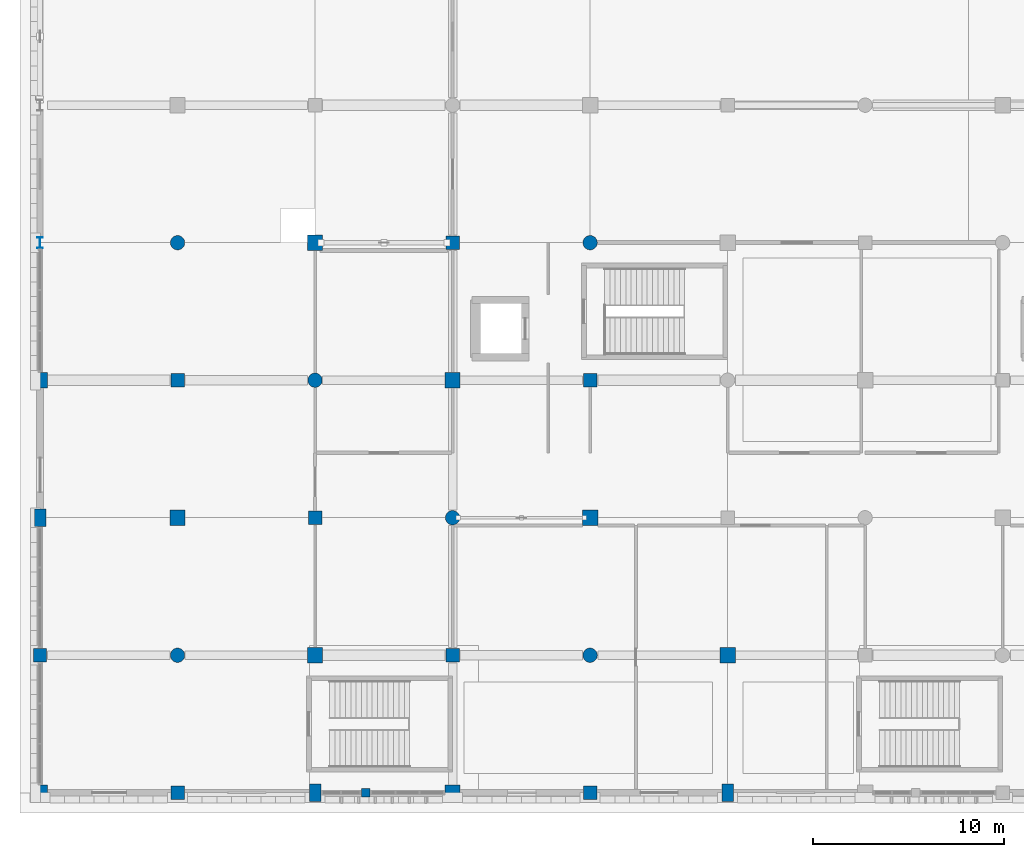
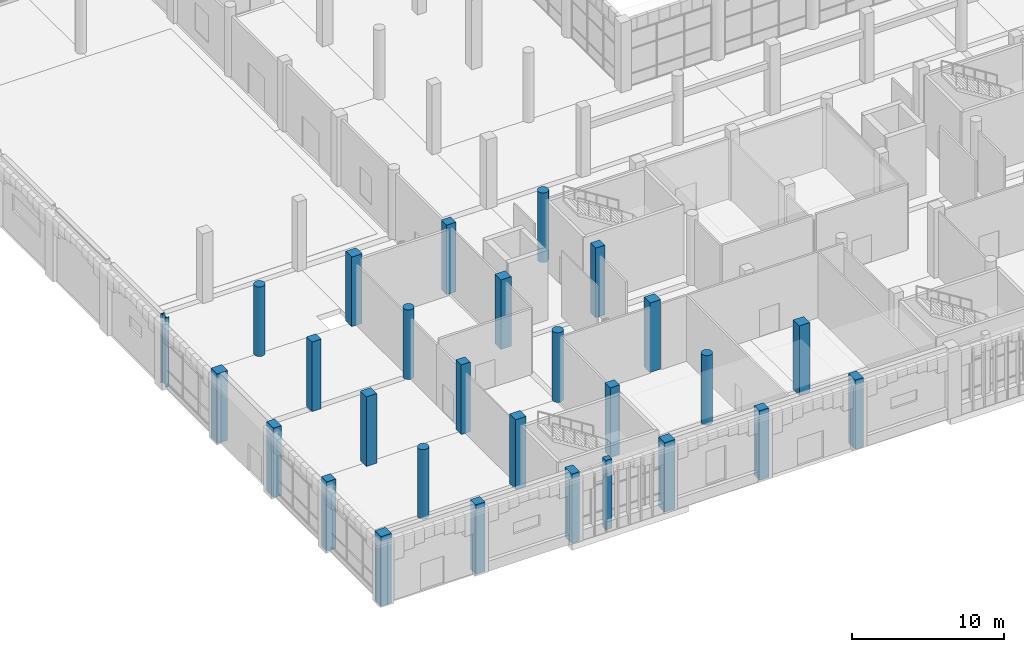
# One storey, part 1 of 85: 28 columns.
"""IFC4 building model written with IfcOpenShell, lengths in metres."""

from ifc_helpers import new_model, si_unit, direction, frame, origin, origin_2d, place, context, subcontext, project, spatial, rectangle, circle, i_section, extrude, material, material_profile, profile_set, type_object, element, save


model = new_model("IFC4")

# Units and contexts
model_context = context("Model", 3, precision=1e-05, world=origin(), true_north=direction((0.0, 1.0)))
body_context = subcontext(model_context, "Body", "Model", "MODEL_VIEW")
ifc_project = project(units=[si_unit("LENGTHUNIT", "METRE"), si_unit("AREAUNIT", "SQUARE_METRE"), si_unit("VOLUMEUNIT", "CUBIC_METRE"), si_unit("PLANEANGLEUNIT", "RADIAN"), si_unit("MASSUNIT", "GRAM", prefix="KILO")], contexts=[model_context])

# Site, building, storey
site_placement = place(None, origin())
site = spatial("IfcSite", under=ifc_project, at=site_placement, CompositionType="ELEMENT")
building_placement = place(site_placement, origin())
building = spatial("IfcBuilding", under=site, at=building_placement, Name="Sardonyx Promenade Sports Hall", CompositionType="ELEMENT")
storey_placement = place(building_placement, origin())
storey = spatial("IfcBuildingStorey", under=building, at=storey_placement, Name="L00", CompositionType="ELEMENT", Elevation=0.0)

# Columns
ifc_material_1 = material(Name="Steel S355JR", Category="steel")
ifc_material_profile_1 = material_profile(ifc_material_1, i_section(OverallWidth=0.300048828125, OverallDepth=0.590087890625, WebThickness=0.012939453125, FlangeThickness=0.02490234375, at=origin_2d()))
ifc_profile_set_1 = profile_set([ifc_material_profile_1], Name="Steel S355JR")
column_type_1 = type_object("IfcColumnType", Name="Col_Ext_HEA600", PredefinedType="COLUMN", material=ifc_profile_set_1)
column_1_placement = place(storey_placement, frame((0.0, 28.800048828125, 0.0), z_axis=(0.0, 0.0, 1.0), x_axis=(1.0, 0.0, 0.0)))
element("IfcColumn", 1, at=column_1_placement, inside=storey, type_object=column_type_1, Name="Column CE01 L00 (0.0,28.8)", PredefinedType="COLUMN", context=body_context, shape_type="SweptSolid", body=[
    extrude(i_section(OverallWidth=0.300048828125, OverallDepth=0.590087890625, WebThickness=0.012939453125, FlangeThickness=0.02490234375, at=origin_2d()), origin(), (0.0, 0.0, 1.0), 5.60009765625),
])
ifc_material_2 = material(Name="Concrete C40/50", Category="concrete")
ifc_material_profile_2 = material_profile(ifc_material_2, rectangle(XDim=0.449951171875, YDim=0.449951171875, at=origin_2d()))
ifc_profile_set_2 = profile_set([ifc_material_profile_2], Name="Concrete C40/50")
column_type_2 = type_object("IfcColumnType", Name="Col_Ext_RC450", PredefinedType="PILASTER", material=ifc_profile_set_2)
column_2_placement = place(storey_placement, frame((17.050048828125, 0.0, 0.0), z_axis=(0.0, 0.0, 1.0), x_axis=(1.0, 0.0, 0.0)))
element("IfcColumn", 2, at=column_2_placement, inside=storey, type_object=column_type_2, Name="Sandstone facade pilaster #1", PredefinedType="PILASTER", context=body_context, shape_type="SweptSolid", body=[
    extrude(rectangle(XDim=0.449951171875, YDim=0.449951171875, at=origin_2d()), origin(), (0.0, 0.0, 1.0), 5.60009765625),
])
ifc_material_3 = material(Name="Concrete C40/50", Category="concrete")
ifc_material_profile_3 = material_profile(ifc_material_3, rectangle(XDim=0.60009765625, YDim=0.89990234375, at=origin_2d()))
ifc_profile_set_3 = profile_set([ifc_material_profile_3], Name="Concrete C40/50")
column_type_3 = type_object("IfcColumnType", Name="Col_Ext_RC600x900", PredefinedType="COLUMN", material=ifc_profile_set_3)
for number, where, z_axis, x_axis, name in (
    (3, (0.0, 14.39990234375, 0.0), (0.0, 0.0, 1.0), (1.0, 0.0, 0.0), "Column CE12 L00 (0.0,14.4)"),
    (4, (14.39990234375, 0.0, 0.0), (0.0, 0.0, 1.0), (1.0, 0.0, 0.0), "Column CE12 L00 (14.4,0.0)"),
    (5, (36.0, 0.0, 0.0), (0.0, 0.0, 1.0), (1.0, 0.0, 0.0), "Column CE12 L00 (36.0,0.0)"),
):
    element("IfcColumn", number, at=place(storey_placement, frame(where, z_axis=z_axis, x_axis=x_axis)), inside=storey, type_object=column_type_3, Name=name, PredefinedType="COLUMN", context=body_context, shape_type="SweptSolid", body=[
        extrude(rectangle(XDim=0.60009765625, YDim=0.89990234375, at=origin_2d()), origin(), (0.0, 0.0, 1.0), 5.60009765625),
    ])
ifc_material_4 = material(Name="Concrete C40/50", Category="concrete")
ifc_material_profile_4 = material_profile(ifc_material_4, rectangle(XDim=0.699951171875, YDim=0.699951171875, at=origin_2d()))
ifc_profile_set_4 = profile_set([ifc_material_profile_4], Name="Concrete C40/50")
column_type_4 = type_object("IfcColumnType", Name="Col_Ext_RC700", PredefinedType="COLUMN", material=ifc_profile_set_4)
for number, where, z_axis, x_axis, name in (
    (6, (0.0, 7.199951171875, 0.0), (0.0, 0.0, 1.0), (1.0, 0.0, 0.0), "Column CE05 L00 (0.0,7.2)"),
    (7, (7.199951171875, 0.0, 0.0), (0.0, 0.0, 1.0), (1.0, 0.0, 0.0), "Column CE05 L00 (7.2,0.0)"),
    (8, (28.800048828125, 0.0, 0.0), (0.0, 0.0, 1.0), (1.0, 0.0, 0.0), "Column CE05 L00 (28.8,0.0)"),
):
    element("IfcColumn", number, at=place(storey_placement, frame(where, z_axis=z_axis, x_axis=x_axis)), inside=storey, type_object=column_type_4, Name=name, PredefinedType="COLUMN", context=body_context, shape_type="SweptSolid", body=[
        extrude(rectangle(XDim=0.699951171875, YDim=0.699951171875, at=origin_2d()), origin(), (0.0, 0.0, 1.0), 5.60009765625),
    ])
ifc_material_5 = material(Name="Concrete C50/60", Category="concrete")
ifc_material_profile_5 = material_profile(ifc_material_5, rectangle(XDim=0.800048828125, YDim=0.800048828125, at=origin_2d()))
ifc_profile_set_5 = profile_set([ifc_material_profile_5], Name="Concrete C50/60")
column_type_5 = type_object("IfcColumnType", Name="Col_Ext_RC800", PredefinedType="COLUMN", material=ifc_profile_set_5)
for number, where, z_axis, x_axis, name in (
    (9, (0.0, 0.0, 0.0), (0.0, 0.0, 1.0), (1.0, 0.0, 0.0), "Column CE13 L00 (0.0,0.0)"),
    (10, (0.0, 21.60009765625, 0.0), (0.0, 0.0, 1.0), (1.0, 0.0, 0.0), "Column CE13 L00 (0.0,21.6)"),
    (11, (21.60009765625, 0.0, 0.0), (0.0, 0.0, 1.0), (1.0, 0.0, 0.0), "Column CE13 L00 (21.6,0.0)"),
):
    element("IfcColumn", number, at=place(storey_placement, frame(where, z_axis=z_axis, x_axis=x_axis)), inside=storey, type_object=column_type_5, Name=name, PredefinedType="COLUMN", context=body_context, shape_type="SweptSolid", body=[
        extrude(rectangle(XDim=0.800048828125, YDim=0.800048828125, at=origin_2d()), origin(), (0.0, 0.0, 1.0), 5.60009765625),
    ])
ifc_material_6 = material(Name="Concrete C50/60", Category="concrete")
ifc_material_profile_6 = material_profile(ifc_material_6, rectangle(XDim=0.699951171875, YDim=0.699951171875, at=origin_2d()))
ifc_profile_set_6 = profile_set([ifc_material_profile_6], Name="Concrete C50/60")
column_type_6 = type_object("IfcColumnType", Name="Col_Int_RC700", PredefinedType="COLUMN", material=ifc_profile_set_6)
for number, where, z_axis, x_axis, name in (
    (12, (7.199951171875, 21.60009765625, 0.0), (0.0, 0.0, 1.0), (1.0, 0.0, 0.0), "Column CI03 L00 (7.2,21.6)"),
    (13, (14.39990234375, 14.39990234375, 0.0), (0.0, 0.0, 1.0), (1.0, 0.0, 0.0), "Column CI03 L00 (14.4,14.4)"),
    (14, (21.60009765625, 7.199951171875, 0.0), (0.0, 0.0, 1.0), (1.0, 0.0, 0.0), "Column CI03 L00 (21.6,7.2)"),
    (15, (21.60009765625, 28.800048828125, 0.0), (0.0, 0.0, 1.0), (1.0, 0.0, 0.0), "Column CI03 L00 (21.6,28.8)"),
    (16, (28.800048828125, 21.60009765625, 0.0), (0.0, 0.0, 1.0), (1.0, 0.0, 0.0), "Column CI03 L00 (28.8,21.6)"),
):
    element("IfcColumn", number, at=place(storey_placement, frame(where, z_axis=z_axis, x_axis=x_axis)), inside=storey, type_object=column_type_6, Name=name, PredefinedType="COLUMN", context=body_context, shape_type="SweptSolid", body=[
        extrude(rectangle(XDim=0.699951171875, YDim=0.699951171875, at=origin_2d()), origin(), (0.0, 0.0, 1.0), 5.60009765625),
    ])
ifc_material_7 = material(Name="Concrete C50/60", Category="concrete")
ifc_material_profile_7 = material_profile(ifc_material_7, rectangle(XDim=0.800048828125, YDim=0.800048828125, at=origin_2d()))
ifc_profile_set_7 = profile_set([ifc_material_profile_7], Name="Concrete C50/60")
column_type_7 = type_object("IfcColumnType", Name="Col_Int_RC800", PredefinedType="COLUMN", material=ifc_profile_set_7)
for number, where, z_axis, x_axis, name in (
    (17, (7.199951171875, 14.39990234375, 0.0), (0.0, 0.0, 1.0), (1.0, 0.0, 0.0), "Column CI01 L00 (7.2,14.4)"),
    (18, (14.39990234375, 7.199951171875, 0.0), (0.0, 0.0, 1.0), (1.0, 0.0, 0.0), "Column CI01 L00 (14.4,7.2)"),
    (19, (14.39990234375, 28.800048828125, 0.0), (0.0, 0.0, 1.0), (1.0, 0.0, 0.0), "Column CI01 L00 (14.4,28.8)"),
    (20, (21.60009765625, 21.60009765625, 0.0), (0.0, 0.0, 1.0), (1.0, 0.0, 0.0), "Column CI01 L00 (21.6,21.6)"),
    (21, (28.800048828125, 14.39990234375, 0.0), (0.0, 0.0, 1.0), (1.0, 0.0, 0.0), "Column CI01 L00 (28.8,14.4)"),
    (22, (36.0, 7.199951171875, 0.0), (0.0, 0.0, 1.0), (1.0, 0.0, 0.0), "Column CI01 L00 (36.0,7.2)"),
):
    element("IfcColumn", number, at=place(storey_placement, frame(where, z_axis=z_axis, x_axis=x_axis)), inside=storey, type_object=column_type_7, Name=name, PredefinedType="COLUMN", context=body_context, shape_type="SweptSolid", body=[
        extrude(rectangle(XDim=0.800048828125, YDim=0.800048828125, at=origin_2d()), origin(), (0.0, 0.0, 1.0), 5.60009765625),
    ])
ifc_material_8 = material(Name="Concrete C50/60", Category="concrete")
ifc_material_profile_8 = material_profile(ifc_material_8, circle(Radius=0.375, at=origin_2d()))
ifc_profile_set_8 = profile_set([ifc_material_profile_8], Name="Concrete C50/60")
column_type_8 = type_object("IfcColumnType", Name="Col_Int_RCD750", PredefinedType="COLUMN", material=ifc_profile_set_8)
for number, where, z_axis, x_axis, name in (
    (23, (7.199951171875, 7.199951171875, 0.0), (0.0, 0.0, 1.0), (1.0, 0.0, 0.0), "Column CI07 L00 (7.2,7.2)"),
    (24, (7.199951171875, 28.800048828125, 0.0), (0.0, 0.0, 1.0), (1.0, 0.0, 0.0), "Column CI07 L00 (7.2,28.8)"),
    (25, (14.39990234375, 21.60009765625, 0.0), (0.0, 0.0, 1.0), (1.0, 0.0, 0.0), "Column CI07 L00 (14.4,21.6)"),
    (26, (21.60009765625, 14.39990234375, 0.0), (0.0, 0.0, 1.0), (1.0, 0.0, 0.0), "Column CI07 L00 (21.6,14.4)"),
    (27, (28.800048828125, 7.199951171875, 0.0), (0.0, 0.0, 1.0), (1.0, 0.0, 0.0), "Column CI07 L00 (28.8,7.2)"),
    (28, (28.800048828125, 28.800048828125, 0.0), (0.0, 0.0, 1.0), (1.0, 0.0, 0.0), "Column CI07 L00 (28.8,28.8)"),
):
    element("IfcColumn", number, at=place(storey_placement, frame(where, z_axis=z_axis, x_axis=x_axis)), inside=storey, type_object=column_type_8, Name=name, PredefinedType="COLUMN", context=body_context, shape_type="SweptSolid", body=[
        extrude(circle(Radius=0.375, at=origin_2d()), origin(), (0.0, 0.0, 1.0), 5.60009765625),
    ])

save(model, "model.ifc")
